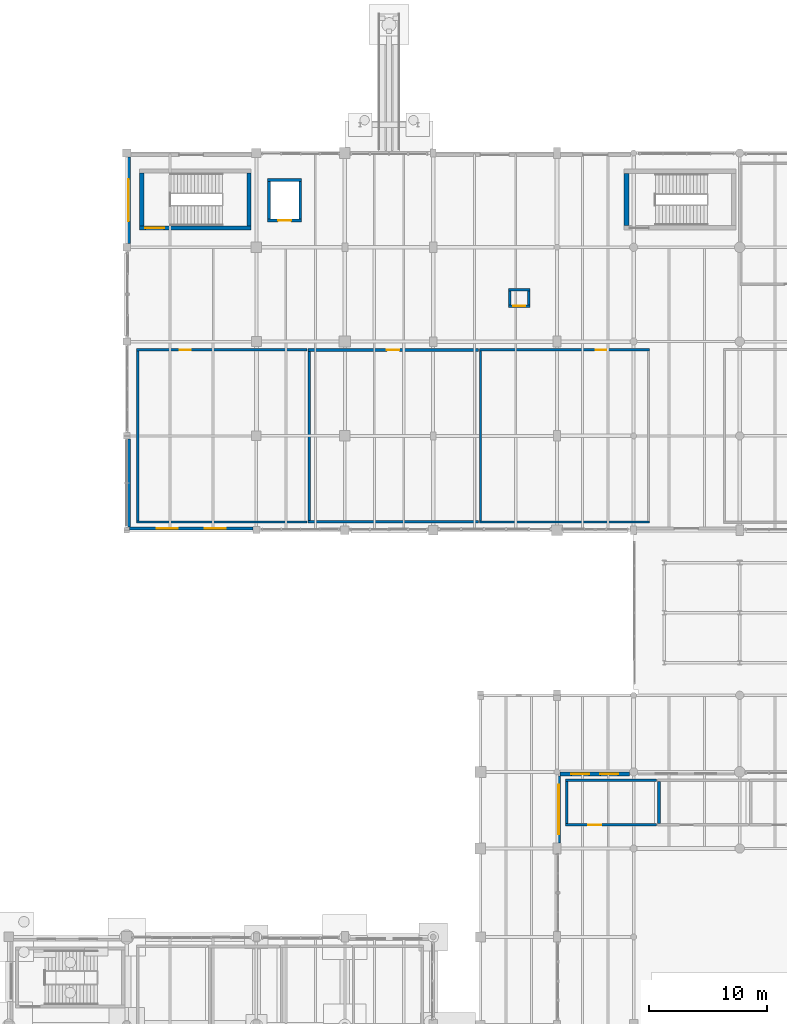
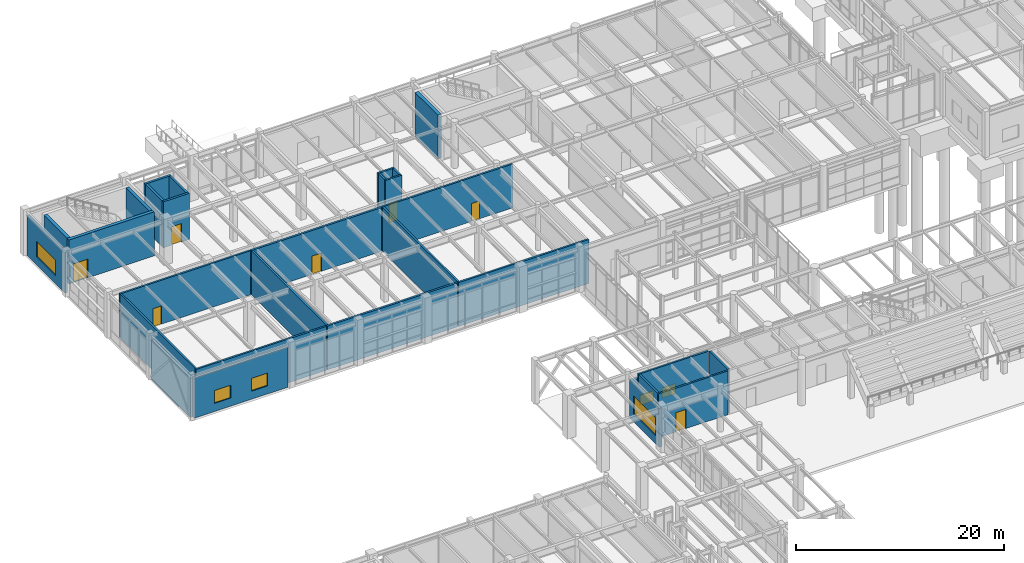
# One storey, part 175 of 203: 30 walls, 7 doors, 6 windows, 13 openings.
"""IFC4 building model written with IfcOpenShell, lengths in metres."""

from ifc_helpers import new_model, si_unit, direction, frame, frame_2d, origin, place, context, subcontext, project, spatial, rectangle, extrude, material, layer, layer_set, type_object, element, fill, save


model = new_model("IFC4")

# Units and contexts
model_context = context("Model", 3, precision=1e-05, world=origin(), true_north=direction((0.0, 1.0)))
body_context = subcontext(model_context, "Body", "Model", "MODEL_VIEW")
ifc_project = project(units=[si_unit("LENGTHUNIT", "METRE"), si_unit("AREAUNIT", "SQUARE_METRE"), si_unit("VOLUMEUNIT", "CUBIC_METRE"), si_unit("PLANEANGLEUNIT", "RADIAN"), si_unit("MASSUNIT", "GRAM", prefix="KILO"), si_unit("THERMODYNAMICTEMPERATUREUNIT", "KELVIN"), si_unit("POWERUNIT", "WATT")], contexts=[model_context])

# Site, building, storey
site_placement = place(None, origin())
site = spatial("IfcSite", under=ifc_project, at=site_placement, CompositionType="ELEMENT")
building_placement = place(site_placement, origin())
building = spatial("IfcBuilding", under=site, at=building_placement, Name="Tepalcoro Natatorium and Aquatics Centre", CompositionType="ELEMENT")
storey_placement = place(building_placement, origin())
storey = spatial("IfcBuildingStorey", under=building, at=storey_placement, Name="L00", CompositionType="ELEMENT", Elevation=0.0)

# Wall, opening, window
ifc_material_1 = material(Name="Precast Concrete C45/55 (fc 45 MPa)", Category="concrete")
ifc_layer_1 = layer(ifc_material_1, 0.284912109375)
ifc_layer_set_1 = layer_set([ifc_layer_1], Name="Precast Concrete C45/55 (fc 45 MPa)")
wall_type_1 = type_object("IfcWallType", Name="WL_EXT_INSUL_280", PredefinedType="SOLIDWALL", material=ifc_layer_set_1)
wall_1_placement = place(storey_placement, frame((46.642578125, 59.47900390625, 0.0), z_axis=(0.0, 0.0, 1.0), x_axis=(0.0, 1.0, 0.0)))
wall_1 = element("IfcWall", 1, at=wall_1_placement, inside=storey, type_object=wall_type_1, Name="V1 L00 W Volcanic Basalt Envelope Wall", PredefinedType="SOLIDWALL", context=body_context, shape_type="SweptSolid", body=[
    extrude(rectangle(XDim=5.656982421875, YDim=0.284912109375, at=frame_2d((2.82861328125, 0.0))), origin(), (0.0, 0.0, 1.0), 4.52587890625),
])
opening_1_placement = place(wall_1_placement, frame((0.728515625, 0.0, 0.949951171875)))
opening_1 = element("IfcOpeningElement", 2, at=opening_1_placement, cuts=wall_1, Name="Opening W0009", PredefinedType="OPENING", context=body_context, shape_type="SweptSolid", body=[
    extrude(rectangle(XDim=4.199951171875, YDim=2.10009765625, at=frame_2d((2.10009765625, 1.050048828125))), frame((0.0, 0.154296875, 0.0), z_axis=(0.0, -1.0, 0.0), x_axis=(1.0, 0.0, 0.0)), (0.0, 0.0, 1.0), 0.308837890625),
])
ifc_material_2 = material(Name="Solar-Control Bronze Tempered Low-E Double Glazing", Category="glass")
window_type_1 = type_object("IfcWindowType", Name="WN_420x210", PartitioningType="SINGLE_PANEL", PredefinedType="WINDOW", material=ifc_material_2)
window_1_placement = place(opening_1_placement, origin())
window_1 = element("IfcWindow", 3, at=window_1_placement, inside=storey, type_object=window_type_1, Name="Exterior Thermal Window WN_420x210", OverallHeight=2.10009765625, OverallWidth=4.199951171875, PartitioningType="SINGLE_PANEL", PredefinedType="WINDOW", context=body_context, shape_type="SweptSolid", body=[
    extrude(rectangle(XDim=4.199951171875, YDim=2.10009765625, at=frame_2d((2.10009765625, 1.050048828125))), frame((0.0, 0.030029296875, 0.0), z_axis=(0.0, -1.0, 0.0), x_axis=(1.0, 0.0, 0.0)), (0.0, 0.0, 1.0), 0.06005859375),
])
fill(opening_1, window_1)

# Wall, openings, windows
wall_2_placement = place(storey_placement, frame((10.25390625, 86.142578125, 0.0), z_axis=(0.0, 0.0, 1.0), x_axis=(1.0, 0.0, 0.0)))
wall_2 = element("IfcWall", 4, at=wall_2_placement, inside=storey, type_object=wall_type_1, Name="V4 L00 S Volcanic Basalt Envelope Wall", PredefinedType="SOLIDWALL", context=body_context, shape_type="SweptSolid", body=[
    extrude(rectangle(XDim=10.442138671875, YDim=0.284912109375, at=frame_2d((5.22119140625, 0.0))), origin(), (0.0, 0.0, 1.0), 4.669921875),
])
opening_2_placement = place(wall_2_placement, frame((2.28076171875, 0.0, 0.949951171875)))
opening_2 = element("IfcOpeningElement", 5, at=opening_2_placement, cuts=wall_2, Name="Opening W0069A", PredefinedType="OPENING", context=body_context, shape_type="SweptSolid", body=[
    extrude(rectangle(XDim=1.800048828125, YDim=1.5, at=frame_2d((0.89990234375, 0.75))), frame((0.0, 0.154296875, 0.0), z_axis=(0.0, -1.0, 0.0), x_axis=(1.0, 0.0, 0.0)), (0.0, 0.0, 1.0), 0.308837890625),
])
opening_3_placement = place(wall_2_placement, frame((6.361328125, 0.0, 0.949951171875)))
opening_3 = element("IfcOpeningElement", 6, at=opening_3_placement, cuts=wall_2, Name="Opening W0069B", PredefinedType="OPENING", context=body_context, shape_type="SweptSolid", body=[
    extrude(rectangle(XDim=1.800048828125, YDim=1.5, at=frame_2d((0.89990234375, 0.75))), frame((0.0, 0.154296875, 0.0), z_axis=(0.0, -1.0, 0.0), x_axis=(1.0, 0.0, 0.0)), (0.0, 0.0, 1.0), 0.308837890625),
])
window_type_2 = type_object("IfcWindowType", Name="WN_180x150", PartitioningType="SINGLE_PANEL", PredefinedType="WINDOW", material=ifc_material_2)
window_2_placement = place(opening_2_placement, origin())
window_2 = element("IfcWindow", 7, at=window_2_placement, inside=storey, type_object=window_type_2, Name="Exterior Thermal Window WN_180x150", OverallHeight=1.5, OverallWidth=1.800048828125, PartitioningType="SINGLE_PANEL", PredefinedType="WINDOW", context=body_context, shape_type="SweptSolid", body=[
    extrude(rectangle(XDim=1.800048828125, YDim=1.5, at=frame_2d((0.89990234375, 0.75))), frame((0.0, 0.030029296875, 0.0), z_axis=(0.0, -1.0, 0.0), x_axis=(1.0, 0.0, 0.0)), (0.0, 0.0, 1.0), 0.06005859375),
])
fill(opening_2, window_2)
window_3_placement = place(opening_3_placement, origin())
window_3 = element("IfcWindow", 8, at=window_3_placement, inside=storey, type_object=window_type_2, Name="Exterior Thermal Window WN_180x150", OverallHeight=1.5, OverallWidth=1.800048828125, PartitioningType="SINGLE_PANEL", PredefinedType="WINDOW", context=body_context, shape_type="SweptSolid", body=[
    extrude(rectangle(XDim=1.800048828125, YDim=1.5, at=frame_2d((0.89990234375, 0.75))), frame((0.0, 0.030029296875, 0.0), z_axis=(0.0, -1.0, 0.0), x_axis=(1.0, 0.0, 0.0)), (0.0, 0.0, 1.0), 0.06005859375),
])
fill(opening_3, window_3)

# Wall
ifc_material_3 = material(Name="Jalisco Cantera Rosa Volcanic Tuff Ashlar Masonry", Category="masonry")
ifc_layer_2 = layer(ifc_material_3, 0.320068359375)
ifc_layer_set_2 = layer_set([ifc_layer_2], Name="Jalisco Cantera Rosa Volcanic Tuff Ashlar Masonry")
wall_type_2 = type_object("IfcWallType", Name="WL_EXT_STONE_320", PredefinedType="SOLIDWALL", material=ifc_layer_set_2)
wall_3_placement = place(storey_placement, frame((10.159912109375, 86.2890625, 0.0), z_axis=(0.0, 0.0, 1.0), x_axis=(0.0, 1.0, 0.0)))
element("IfcWall", 9, at=wall_3_placement, inside=storey, type_object=wall_type_2, Name="V4 L00 W Volcanic Basalt Envelope Wall", PredefinedType="SOLIDWALL", context=body_context, shape_type="SweptSolid", body=[
    extrude(rectangle(XDim=7.431884765625, YDim=0.320068359375, at=frame_2d((3.7158203125, 0.0))), origin(), (0.0, 0.0, 1.0), 4.593994140625),
])

# Wall, openings, windows
ifc_material_4 = material(Name="Volcanic Recinto Basalt Ashlar Masonry", Category="masonry")
ifc_layer_3 = layer(ifc_material_4, 0.360107421875)
ifc_layer_set_3 = layer_set([ifc_layer_3], Name="Volcanic Recinto Basalt Ashlar Masonry")
wall_type_3 = type_object("IfcWallType", Name="WL_EXT_STONE_350", PredefinedType="SOLIDWALL", material=ifc_layer_set_3)
wall_4_placement = place(storey_placement, frame((46.75390625, 65.320068359375, 0.0), z_axis=(0.0, 0.0, 1.0), x_axis=(1.0, 0.0, 0.0)))
wall_4 = element("IfcWall", 10, at=wall_4_placement, inside=storey, type_object=wall_type_3, Name="V1 L00 N Volcanic Basalt Envelope Wall", PredefinedType="SOLIDWALL", context=body_context, shape_type="SweptSolid", body=[
    extrude(rectangle(XDim=5.89208984375, YDim=0.360107421875, at=frame_2d((2.946044921875, 0.0))), origin(), (0.0, 0.0, 1.0), 4.2109375),
])
opening_4_placement = place(wall_4_placement, frame((0.964111328125, 0.0, 0.949951171875)))
opening_4 = element("IfcOpeningElement", 11, at=opening_4_placement, cuts=wall_4, Name="Opening W0004A", PredefinedType="OPENING", context=body_context, shape_type="SweptSolid", body=[
    extrude(rectangle(XDim=1.5, YDim=1.199951171875, at=frame_2d((0.75, 0.60009765625))), frame((0.0, 0.19189453125, 0.0), z_axis=(0.0, -1.0, 0.0), x_axis=(1.0, 0.0, 0.0)), (0.0, 0.0, 1.0), 0.384033203125),
])
opening_5_placement = place(wall_4_placement, frame((3.427978515625, 0.0, 0.949951171875)))
opening_5 = element("IfcOpeningElement", 12, at=opening_5_placement, cuts=wall_4, Name="Opening W0004B", PredefinedType="OPENING", context=body_context, shape_type="SweptSolid", body=[
    extrude(rectangle(XDim=1.5, YDim=1.199951171875, at=frame_2d((0.75, 0.60009765625))), frame((0.0, 0.19189453125, 0.0), z_axis=(0.0, -1.0, 0.0), x_axis=(1.0, 0.0, 0.0)), (0.0, 0.0, 1.0), 0.384033203125),
])
window_type_3 = type_object("IfcWindowType", Name="WN_150x120", PartitioningType="SINGLE_PANEL", PredefinedType="WINDOW", material=ifc_material_2)
window_4_placement = place(opening_4_placement, origin())
window_4 = element("IfcWindow", 13, at=window_4_placement, inside=storey, type_object=window_type_3, Name="Exterior Thermal Window WN_150x120", OverallHeight=1.199951171875, OverallWidth=1.5, PartitioningType="SINGLE_PANEL", PredefinedType="WINDOW", context=body_context, shape_type="SweptSolid", body=[
    extrude(rectangle(XDim=1.5, YDim=1.199951171875, at=frame_2d((0.75, 0.60009765625))), frame((0.0, 0.030029296875, 0.0), z_axis=(0.0, -1.0, 0.0), x_axis=(1.0, 0.0, 0.0)), (0.0, 0.0, 1.0), 0.06005859375),
])
fill(opening_4, window_4)
window_5_placement = place(opening_5_placement, origin())
window_5 = element("IfcWindow", 14, at=window_5_placement, inside=storey, type_object=window_type_3, Name="Exterior Thermal Window WN_150x120", OverallHeight=1.199951171875, OverallWidth=1.5, PartitioningType="SINGLE_PANEL", PredefinedType="WINDOW", context=body_context, shape_type="SweptSolid", body=[
    extrude(rectangle(XDim=1.5, YDim=1.199951171875, at=frame_2d((0.75, 0.60009765625))), frame((0.0, 0.030029296875, 0.0), z_axis=(0.0, -1.0, 0.0), x_axis=(1.0, 0.0, 0.0)), (0.0, 0.0, 1.0), 0.06005859375),
])
fill(opening_5, window_5)

# Wall, opening, window
ifc_layer_4 = layer(ifc_material_3, 0.304931640625)
ifc_layer_set_4 = layer_set([ifc_layer_4], Name="Jalisco Cantera Rosa Volcanic Tuff Ashlar Masonry")
wall_type_4 = type_object("IfcWallType", Name="WL_EXT_TERRACOTTA_300", PredefinedType="SOLIDWALL", material=ifc_layer_set_4)
wall_5_placement = place(storey_placement, frame((10.152587890625, 110.3291015625, 0.0), z_axis=(0.0, 0.0, 1.0), x_axis=(0.0, 1.0, 0.0)))
wall_5 = element("IfcWall", 15, at=wall_5_placement, inside=storey, type_object=wall_type_4, Name="V4 L00 W Volcanic Basalt Envelope Wall", PredefinedType="SOLIDWALL", context=body_context, shape_type="SweptSolid", body=[
    extrude(rectangle(XDim=7.31689453125, YDim=0.304931640625, at=frame_2d((3.658447265625, 0.0))), origin(), (0.0, 0.0, 1.0), 4.669921875),
])
opening_6_placement = place(wall_5_placement, frame((1.8583984375, 0.0, 0.949951171875)))
opening_6 = element("IfcOpeningElement", 16, at=opening_6_placement, cuts=wall_5, Name="Opening W0070", PredefinedType="OPENING", context=body_context, shape_type="SweptSolid", body=[
    extrude(rectangle(XDim=3.60009765625, YDim=1.800048828125, at=frame_2d((1.800048828125, 0.89990234375))), frame((0.0, 0.16455078125, 0.0), z_axis=(0.0, -1.0, 0.0), x_axis=(1.0, 0.0, 0.0)), (0.0, 0.0, 1.0), 0.328857421875),
])
window_type_4 = type_object("IfcWindowType", Name="WN_360x180", PartitioningType="SINGLE_PANEL", PredefinedType="WINDOW", material=ifc_material_2)
window_6_placement = place(opening_6_placement, origin())
window_6 = element("IfcWindow", 17, at=window_6_placement, inside=storey, type_object=window_type_4, Name="Exterior Thermal Window WN_360x180", OverallHeight=1.800048828125, OverallWidth=3.60009765625, PartitioningType="SINGLE_PANEL", PredefinedType="WINDOW", context=body_context, shape_type="SweptSolid", body=[
    extrude(rectangle(XDim=3.60009765625, YDim=1.800048828125, at=frame_2d((1.800048828125, 0.89990234375))), frame((0.0, 0.030029296875, 0.0), z_axis=(0.0, -1.0, 0.0), x_axis=(1.0, 0.0, 0.0)), (0.0, 0.0, 1.0), 0.06005859375),
])
fill(opening_6, window_6)

# Wall, opening, door
ifc_material_5 = material(Name="Ceramic-Tiled Moisture-Resistant Masonry Blockwork", Category="masonry")
ifc_layer_5 = layer(ifc_material_5, 0.199951171875)
ifc_layer_set_5 = layer_set([ifc_layer_5], Name="Ceramic-Tiled Moisture-Resistant Masonry Blockwork")
wall_type_5 = type_object("IfcWallType", Name="WL_PLUMB_200", PredefinedType="PLUMBINGWALL", material=ifc_layer_set_5)
wall_6_placement = place(storey_placement, frame((47.239990234375, 61.0, 0.0), z_axis=(0.0, 0.0, 1.0), x_axis=(1.0, 0.0, 0.0)))
wall_6 = element("IfcWall", 18, at=wall_6_placement, inside=storey, type_object=wall_type_5, Name="Team Wet Changing Village West & Lockers Partition S", PredefinedType="PLUMBINGWALL", context=body_context, shape_type="SweptSolid", body=[
    extrude(rectangle(XDim=7.719970703125, YDim=0.199951171875, at=frame_2d((3.85986328125, 0.0))), origin(), (0.0, 0.0, 1.0), 5.125),
])
opening_7_placement = place(wall_6_placement, frame((1.929931640625, 0.0, 0.0)))
opening_7 = element("IfcOpeningElement", 19, at=opening_7_placement, cuts=wall_6, Name="Opening D0079", PredefinedType="OPENING", context=body_context, shape_type="SweptSolid", body=[
    extrude(rectangle(XDim=1.10009765625, YDim=2.25, at=frame_2d((0.550048828125, 1.125))), frame((0.0, 0.11181640625, 0.0), z_axis=(0.0, -1.0, 0.0), x_axis=(1.0, 0.0, 0.0)), (0.0, 0.0, 1.0), 0.223876953125),
])
ifc_material_6 = material(Name="Solid-Core Moisture-Sealed Oak Timber Leaf in Aluminium Frame", Category="wood")
door_type_1 = type_object("IfcDoorType", Name="DR_110x225", OperationType="NOTDEFINED", PredefinedType="DOOR", material=ifc_material_6)
door_1_placement = place(opening_7_placement, origin())
door_1 = element("IfcDoor", 20, at=door_1_placement, inside=storey, type_object=door_type_1, Name="Team Wet Changing Village West & Lockers Door", OperationType="SINGLE_SWING_LEFT", OverallHeight=2.25, OverallWidth=1.10009765625, PredefinedType="DOOR", context=body_context, shape_type="SweptSolid", body=[
    extrude(rectangle(XDim=1.10009765625, YDim=2.25, at=frame_2d((0.550048828125, 1.125))), frame((0.0, 0.02490234375, 0.0), z_axis=(0.0, -1.0, 0.0), x_axis=(1.0, 0.0, 0.0)), (0.0, 0.0, 1.0), 0.050048828125),
])
fill(opening_7, door_1)

# Walls
wall_7_placement = place(storey_placement, frame((47.239990234375, 64.800048828125, 0.0), z_axis=(0.0, 0.0, 1.0), x_axis=(1.0, 0.0, 0.0)))
element("IfcWall", 21, at=wall_7_placement, inside=storey, type_object=wall_type_5, Name="Team Wet Changing Village West & Lockers Partition N", PredefinedType="PLUMBINGWALL", context=body_context, shape_type="SweptSolid", body=[
    extrude(rectangle(XDim=7.719970703125, YDim=0.199951171875, at=frame_2d((3.85986328125, 0.0))), origin(), (0.0, 0.0, 1.0), 5.125),
])
wall_8_placement = place(storey_placement, frame((47.340087890625, 61.10009765625, 0.0), z_axis=(0.0, 0.0, 1.0), x_axis=(0.0, 1.0, 0.0)))
element("IfcWall", 22, at=wall_8_placement, inside=storey, type_object=wall_type_5, Name="Team Wet Changing Village West & Lockers Partition W", PredefinedType="PLUMBINGWALL", context=body_context, shape_type="SweptSolid", body=[
    extrude(rectangle(XDim=3.599853515625, YDim=0.199951171875, at=frame_2d((1.7998046875, 0.0))), origin(), (0.0, 0.0, 1.0), 5.125),
])
wall_9_placement = place(storey_placement, frame((10.840087890625, 86.699951171875, 0.0), z_axis=(0.0, 0.0, 1.0), x_axis=(1.0, 0.0, 0.0)))
element("IfcWall", 23, at=wall_9_placement, inside=storey, type_object=wall_type_5, Name="Community Male Wet Changing & Showers Partition S", PredefinedType="PLUMBINGWALL", context=body_context, shape_type="SweptSolid", body=[
    extrude(rectangle(XDim=14.452880859375, YDim=0.199951171875, at=frame_2d((7.2265625, 0.0))), origin(), (0.0, 0.0, 1.0), 5.14501953125),
])

# Wall, opening, door
wall_10_placement = place(storey_placement, frame((10.840087890625, 101.300048828125, 0.0), z_axis=(0.0, 0.0, 1.0), x_axis=(1.0, 0.0, 0.0)))
wall_10 = element("IfcWall", 24, at=wall_10_placement, inside=storey, type_object=wall_type_5, Name="Community Male Wet Changing & Showers Partition N", PredefinedType="PLUMBINGWALL", context=body_context, shape_type="SweptSolid", body=[
    extrude(rectangle(XDim=14.452880859375, YDim=0.199951171875, at=frame_2d((7.2265625, 0.0))), origin(), (0.0, 0.0, 1.0), 5.14501953125),
])
opening_8_placement = place(wall_10_placement, frame((3.65087890625, 0.0, 0.0)))
opening_8 = element("IfcOpeningElement", 25, at=opening_8_placement, cuts=wall_10, Name="Opening D0097", PredefinedType="OPENING", context=body_context, shape_type="SweptSolid", body=[
    extrude(rectangle(XDim=0.949951171875, YDim=2.14990234375, at=frame_2d((0.47509765625, 1.074951171875))), frame((0.0, 0.11181640625, 0.0), z_axis=(0.0, -1.0, 0.0), x_axis=(1.0, 0.0, 0.0)), (0.0, 0.0, 1.0), 0.223876953125),
])
door_type_2 = type_object("IfcDoorType", Name="DR_095x215_OFFICE", OperationType="NOTDEFINED", PredefinedType="DOOR", material=ifc_material_6)
door_2_placement = place(opening_8_placement, frame((0.949951171875, 0.0, 0.0), z_axis=(0.0, 0.0, 1.0), x_axis=(-1.0, 0.0, 0.0)))
door_2 = element("IfcDoor", 26, at=door_2_placement, inside=storey, type_object=door_type_2, Name="Community Male Wet Changing & Showers Door", OperationType="SINGLE_SWING_LEFT", OverallHeight=2.14990234375, OverallWidth=0.949951171875, PredefinedType="DOOR", context=body_context, shape_type="SweptSolid", body=[
    extrude(rectangle(XDim=0.949951171875, YDim=2.14990234375, at=frame_2d((0.47509765625, 1.074951171875))), frame((0.0, 0.02490234375, 0.0), z_axis=(0.0, -1.0, 0.0), x_axis=(1.0, 0.0, 0.0)), (0.0, 0.0, 1.0), 0.050048828125),
])
fill(opening_8, door_2)

# Walls
wall_11_placement = place(storey_placement, frame((10.93994140625, 86.800048828125, 0.0), z_axis=(0.0, 0.0, 1.0), x_axis=(0.0, 1.0, 0.0)))
element("IfcWall", 27, at=wall_11_placement, inside=storey, type_object=wall_type_5, Name="Community Male Wet Changing & Showers Partition W", PredefinedType="PLUMBINGWALL", context=body_context, shape_type="SweptSolid", body=[
    extrude(rectangle(XDim=14.39990234375, YDim=0.199951171875, at=frame_2d((7.199951171875, 0.0))), origin(), (0.0, 0.0, 1.0), 5.14501953125),
])
wall_12_placement = place(storey_placement, frame((39.906982421875, 86.699951171875, 0.0), z_axis=(0.0, 0.0, 1.0), x_axis=(1.0, 0.0, 0.0)))
element("IfcWall", 28, at=wall_12_placement, inside=storey, type_object=wall_type_5, Name="Accessible Changing Places Suite & Hoist WC Partition S", PredefinedType="PLUMBINGWALL", context=body_context, shape_type="SweptSolid", body=[
    extrude(rectangle(XDim=14.453125, YDim=0.199951171875, at=frame_2d((7.2265625, 0.0))), origin(), (0.0, 0.0, 1.0), 5.14501953125),
])

# Wall, opening, door
wall_13_placement = place(storey_placement, frame((39.906982421875, 101.300048828125, 0.0), z_axis=(0.0, 0.0, 1.0), x_axis=(1.0, 0.0, 0.0)))
wall_13 = element("IfcWall", 29, at=wall_13_placement, inside=storey, type_object=wall_type_5, Name="Accessible Changing Places Suite & Hoist WC Partition N", PredefinedType="PLUMBINGWALL", context=body_context, shape_type="SweptSolid", body=[
    extrude(rectangle(XDim=14.453125, YDim=0.199951171875, at=frame_2d((7.2265625, 0.0))), origin(), (0.0, 0.0, 1.0), 5.14501953125),
])
opening_9_placement = place(wall_13_placement, frame((9.889892578125, 0.0, 0.0)))
opening_9 = element("IfcOpeningElement", 30, at=opening_9_placement, cuts=wall_13, Name="Opening D0099", PredefinedType="OPENING", context=body_context, shape_type="SweptSolid", body=[
    extrude(rectangle(XDim=0.89990234375, YDim=2.10009765625, at=frame_2d((0.449951171875, 1.050048828125))), frame((0.0, 0.11181640625, 0.0), z_axis=(0.0, -1.0, 0.0), x_axis=(1.0, 0.0, 0.0)), (0.0, 0.0, 1.0), 0.223876953125),
])
door_type_3 = type_object("IfcDoorType", Name="DR_095x215_WC", OperationType="NOTDEFINED", PredefinedType="DOOR", material=ifc_material_6)
door_3_placement = place(opening_9_placement, frame((0.89990234375, 0.0, 0.0), z_axis=(0.0, 0.0, 1.0), x_axis=(-1.0, 0.0, 0.0)))
door_3 = element("IfcDoor", 31, at=door_3_placement, inside=storey, type_object=door_type_3, Name="Accessible Changing Places Suite & Hoist WC Door", OperationType="SINGLE_SWING_LEFT", OverallHeight=2.10009765625, OverallWidth=0.89990234375, PredefinedType="DOOR", context=body_context, shape_type="SweptSolid", body=[
    extrude(rectangle(XDim=0.89990234375, YDim=2.10009765625, at=frame_2d((0.449951171875, 1.050048828125))), frame((0.0, 0.02490234375, 0.0), z_axis=(0.0, -1.0, 0.0), x_axis=(1.0, 0.0, 0.0)), (0.0, 0.0, 1.0), 0.050048828125),
])
fill(opening_9, door_3)

# Walls
wall_14_placement = place(storey_placement, frame((40.007080078125, 86.800048828125, 0.0), z_axis=(0.0, 0.0, 1.0), x_axis=(0.0, 1.0, 0.0)))
element("IfcWall", 32, at=wall_14_placement, inside=storey, type_object=wall_type_5, Name="Accessible Changing Places Suite & Hoist WC Partition W", PredefinedType="PLUMBINGWALL", context=body_context, shape_type="SweptSolid", body=[
    extrude(rectangle(XDim=14.39990234375, YDim=0.199951171875, at=frame_2d((7.199951171875, 0.0))), origin(), (0.0, 0.0, 1.0), 5.14501953125),
])
ifc_layer_6 = layer(ifc_material_5, 0.219970703125)
ifc_layer_set_6 = layer_set([ifc_layer_6], Name="Ceramic-Tiled Moisture-Resistant Masonry Blockwork")
wall_type_6 = type_object("IfcWallType", Name="WL_PLUMB_220", PredefinedType="PLUMBINGWALL", material=ifc_layer_set_6)
wall_15_placement = place(storey_placement, frame((55.14990234375, 61.1201171875, 0.0), z_axis=(0.0, 0.0, 1.0), x_axis=(0.0, 1.0, 0.0)))
element("IfcWall", 33, at=wall_15_placement, inside=storey, type_object=wall_type_6, Name="Pre-Swim Cleansing Showers & Footbath West Partition W", PredefinedType="PLUMBINGWALL", context=body_context, shape_type="SweptSolid", body=[
    extrude(rectangle(XDim=3.559814453125, YDim=0.219970703125, at=frame_2d((1.77978515625, 0.0))), origin(), (0.0, 0.0, 1.0), 5.125),
])
wall_16_placement = place(storey_placement, frame((25.373046875, 86.7099609375, 0.0), z_axis=(0.0, 0.0, 1.0), x_axis=(1.0, 0.0, 0.0)))
element("IfcWall", 34, at=wall_16_placement, inside=storey, type_object=wall_type_6, Name="Community Female Wet Changing & Showers Partition S", PredefinedType="PLUMBINGWALL", context=body_context, shape_type="SweptSolid", body=[
    extrude(rectangle(XDim=14.453857421875, YDim=0.219970703125, at=frame_2d((7.22705078125, 0.0))), origin(), (0.0, 0.0, 1.0), 5.14501953125),
])

# Wall, opening, door
wall_17_placement = place(storey_placement, frame((25.373046875, 101.2900390625, 0.0), z_axis=(0.0, 0.0, 1.0), x_axis=(1.0, 0.0, 0.0)))
wall_17 = element("IfcWall", 35, at=wall_17_placement, inside=storey, type_object=wall_type_6, Name="Community Female Wet Changing & Showers Partition N", PredefinedType="PLUMBINGWALL", context=body_context, shape_type="SweptSolid", body=[
    extrude(rectangle(XDim=14.453857421875, YDim=0.219970703125, at=frame_2d((7.22705078125, 0.0))), origin(), (0.0, 0.0, 1.0), 5.14501953125),
])
opening_10_placement = place(wall_17_placement, frame((6.701904296875, 0.0, 0.0)))
opening_10 = element("IfcOpeningElement", 36, at=opening_10_placement, cuts=wall_17, Name="Opening D0098", PredefinedType="OPENING", context=body_context, shape_type="SweptSolid", body=[
    extrude(rectangle(XDim=1.050048828125, YDim=2.14990234375, at=frame_2d((0.52490234375, 1.074951171875))), frame((0.0, 0.1220703125, 0.0), z_axis=(0.0, -1.0, 0.0), x_axis=(1.0, 0.0, 0.0)), (0.0, 0.0, 1.0), 0.243896484375),
])
door_type_4 = type_object("IfcDoorType", Name="DR_105x215_ACC", OperationType="NOTDEFINED", PredefinedType="DOOR", material=ifc_material_6)
door_4_placement = place(opening_10_placement, frame((1.050048828125, 0.0, 0.0), z_axis=(0.0, 0.0, 1.0), x_axis=(-1.0, 0.0, 0.0)))
door_4 = element("IfcDoor", 37, at=door_4_placement, inside=storey, type_object=door_type_4, Name="Community Female Wet Changing & Showers Door", OperationType="SINGLE_SWING_RIGHT", OverallHeight=2.14990234375, OverallWidth=1.050048828125, PredefinedType="DOOR", context=body_context, shape_type="SweptSolid", body=[
    extrude(rectangle(XDim=1.050048828125, YDim=2.14990234375, at=frame_2d((0.52490234375, 1.074951171875))), frame((0.0, 0.02490234375, 0.0), z_axis=(0.0, -1.0, 0.0), x_axis=(1.0, 0.0, 0.0)), (0.0, 0.0, 1.0), 0.050048828125),
])
fill(opening_10, door_4)

# Wall
wall_18_placement = place(storey_placement, frame((25.48291015625, 86.820068359375, 0.0), z_axis=(0.0, 0.0, 1.0), x_axis=(0.0, 1.0, 0.0)))
element("IfcWall", 38, at=wall_18_placement, inside=storey, type_object=wall_type_6, Name="Community Female Wet Changing & Showers Partition W", PredefinedType="PLUMBINGWALL", context=body_context, shape_type="SweptSolid", body=[
    extrude(rectangle(XDim=14.35986328125, YDim=0.219970703125, at=frame_2d((7.179931640625, 0.0))), origin(), (0.0, 0.0, 1.0), 5.14501953125),
])

# Wall, opening, door
ifc_material_7 = material(Name="Concrete C40/50 (fc 40 MPa)", Category="concrete")
ifc_layer_7 = layer(ifc_material_7, 0.239990234375)
ifc_layer_set_7 = layer_set([ifc_layer_7], Name="Concrete C40/50 (fc 40 MPa)")
wall_type_7 = type_object("IfcWallType", Name="WL_SHAFT_240", PredefinedType="SOLIDWALL", material=ifc_layer_set_7)
wall_19_placement = place(storey_placement, frame((21.9599609375, 112.280029296875, 0.0), z_axis=(0.0, 0.0, 1.0), x_axis=(1.0, 0.0, 0.0)))
wall_19 = element("IfcWall", 39, at=wall_19_placement, inside=storey, type_object=wall_type_7, Name="LF04 Lift Shaft Wall S L00", PredefinedType="SOLIDWALL", context=body_context, shape_type="SweptSolid", body=[
    extrude(rectangle(XDim=2.880126953125, YDim=0.239990234375, at=frame_2d((1.43994140625, 0.0))), origin(), (0.0, 0.0, 1.0), 5.39990234375),
])
opening_11_placement = place(wall_19_placement, frame((0.889892578125, 0.0, 0.0)))
opening_11 = element("IfcOpeningElement", 40, at=opening_11_placement, cuts=wall_19, Name="Opening LD-LF04-L00", PredefinedType="OPENING", context=body_context, shape_type="SweptSolid", body=[
    extrude(rectangle(XDim=1.10009765625, YDim=2.14990234375, at=frame_2d((0.550048828125, 1.074951171875))), frame((0.0, 0.1318359375, 0.0), z_axis=(0.0, -1.0, 0.0), x_axis=(1.0, 0.0, 0.0)), (0.0, 0.0, 1.0), 0.263916015625),
])
ifc_material_8 = material(Name="Marine-Grade Brushed Stainless Steel AISI 316L", Category="steel")
door_type_5 = type_object("IfcDoorType", Name="DR_110x215_LIFT", OperationType="NOTDEFINED", PredefinedType="USERDEFINED", material=ifc_material_8)
door_5_placement = place(opening_11_placement, origin())
door_5 = element("IfcDoor", 41, at=door_5_placement, inside=storey, type_object=door_type_5, Name="LF04 Lift Landing Sliding Door (L00)", ObjectType="SLIDING LANDING DOOR", OperationType="SLIDING_TO_RIGHT", OverallHeight=2.14990234375, OverallWidth=1.10009765625, PredefinedType="USERDEFINED", context=body_context, shape_type="SweptSolid", body=[
    extrude(rectangle(XDim=1.10009765625, YDim=2.14990234375, at=frame_2d((0.550048828125, 1.074951171875))), frame((0.0, 0.02490234375, 0.0), z_axis=(0.0, -1.0, 0.0), x_axis=(1.0, 0.0, 0.0)), (0.0, 0.0, 1.0), 0.050048828125),
])
fill(opening_11, door_5)

# Walls
wall_20_placement = place(storey_placement, frame((21.9599609375, 115.719970703125, 0.0), z_axis=(0.0, 0.0, 1.0), x_axis=(1.0, 0.0, 0.0)))
element("IfcWall", 42, at=wall_20_placement, inside=storey, type_object=wall_type_7, Name="LF04 Lift Shaft Wall N L00", PredefinedType="SOLIDWALL", context=body_context, shape_type="SweptSolid", body=[
    extrude(rectangle(XDim=2.880126953125, YDim=0.239990234375, at=frame_2d((1.43994140625, 0.0))), origin(), (0.0, 0.0, 1.0), 5.39990234375),
])
for number, where, z_axis, x_axis, name in (
    (43, (22.080078125, 112.39990234375, 0.0), (0.0, 0.0, 1.0), (0.0, 1.0, 0.0), "LF04 Lift Shaft Wall W L00"),
    (44, (24.719970703125, 112.39990234375, 0.0), (0.0, 0.0, 1.0), (0.0, 1.0, 0.0), "LF04 Lift Shaft Wall E L00"),
):
    element("IfcWall", number, at=place(storey_placement, frame(where, z_axis=z_axis, x_axis=x_axis)), inside=storey, type_object=wall_type_7, Name=name, PredefinedType="SOLIDWALL", context=body_context, shape_type="SweptSolid", body=[
        extrude(rectangle(XDim=3.2001953125, YDim=0.239990234375, at=frame_2d((1.60009765625, 0.0))), origin(), (0.0, 0.0, 1.0), 5.39990234375),
    ])

# Wall, opening, door
ifc_layer_8 = layer(ifc_material_7, 0.35009765625)
ifc_layer_set_8 = layer_set([ifc_layer_8], Name="Concrete C40/50 (fc 40 MPa)")
wall_type_8 = type_object("IfcWallType", Name="WL_SHEAR_350", PredefinedType="SHEAR", material=ifc_layer_set_8)
wall_21_placement = place(storey_placement, frame((11.10009765625, 111.625, 0.0), z_axis=(0.0, 0.0, 1.0), x_axis=(1.0, 0.0, 0.0)))
wall_21 = element("IfcWall", 45, at=wall_21_placement, inside=storey, type_object=wall_type_8, Name="ST07 Core Shear Wall S L00", PredefinedType="SHEAR", context=body_context, shape_type="SweptSolid", body=[
    extrude(rectangle(XDim=9.449951171875, YDim=0.35009765625, at=frame_2d((4.72509765625, 0.0))), origin(), (0.0, 0.0, 1.0), 5.159912109375),
])
opening_12_placement = place(wall_21_placement, frame((0.47998046875, 0.0, 0.0)))
opening_12 = element("IfcOpeningElement", 46, at=opening_12_placement, cuts=wall_21, Name="Opening D0026", PredefinedType="OPENING", context=body_context, shape_type="SweptSolid", body=[
    extrude(rectangle(XDim=1.60009765625, YDim=2.199951171875, at=frame_2d((0.800048828125, 1.10009765625))), frame((0.0, 0.18701171875, 0.0), z_axis=(0.0, -1.0, 0.0), x_axis=(1.0, 0.0, 0.0)), (0.0, 0.0, 1.0), 0.3740234375),
])
ifc_material_9 = material(Name="Galvanised Steel Insulated Acoustic Fire Door Assembly", Category="steel")
door_type_6 = type_object("IfcDoorType", Name="DR_160x220_FD90", OperationType="NOTDEFINED", PredefinedType="DOOR", material=ifc_material_9)
door_6_placement = place(opening_12_placement, frame((1.60009765625, 0.0, 0.0), z_axis=(0.0, 0.0, 1.0), x_axis=(-1.0, 0.0, 0.0)))
door_6 = element("IfcDoor", 47, at=door_6_placement, inside=storey, type_object=door_type_6, Name="ST07 Fire Stair Door (L00)", OperationType="DOUBLE_DOOR_SINGLE_SWING", OverallHeight=2.199951171875, OverallWidth=1.60009765625, PredefinedType="DOOR", context=body_context, shape_type="SweptSolid", body=[
    extrude(rectangle(XDim=1.60009765625, YDim=2.199951171875, at=frame_2d((0.800048828125, 1.10009765625))), frame((0.0, 0.02490234375, 0.0), z_axis=(0.0, -1.0, 0.0), x_axis=(1.0, 0.0, 0.0)), (0.0, 0.0, 1.0), 0.050048828125),
])
fill(opening_12, door_6)

# Walls
for number, where, z_axis, x_axis, name in (
    (48, (11.27490234375, 111.800048828125, 0.0), (0.0, 0.0, 1.0), (0.0, 1.0, 0.0), "ST07 Core Shear Wall W L00"),
    (49, (20.375, 111.800048828125, 0.0), (0.0, 0.0, 1.0), (0.0, 1.0, 0.0), "ST07 Core Shear Wall E L00"),
):
    element("IfcWall", number, at=place(storey_placement, frame(where, z_axis=z_axis, x_axis=x_axis)), inside=storey, type_object=wall_type_8, Name=name, PredefinedType="SHEAR", context=body_context, shape_type="SweptSolid", body=[
        extrude(rectangle(XDim=4.5, YDim=0.35009765625, at=frame_2d((2.25, 0.0))), origin(), (0.0, 0.0, 1.0), 5.159912109375),
    ])
ifc_layer_9 = layer(ifc_material_7, 0.39990234375)
ifc_layer_set_9 = layer_set([ifc_layer_9], Name="Concrete C40/50 (fc 40 MPa)")
wall_type_9 = type_object("IfcWallType", Name="WL_SHEAR_400", PredefinedType="SHEAR", material=ifc_layer_set_9)
wall_22_placement = place(storey_placement, frame((52.39990234375, 111.85009765625, 0.0), z_axis=(0.0, 0.0, 1.0), x_axis=(0.0, 1.0, 0.0)))
element("IfcWall", 50, at=wall_22_placement, inside=storey, type_object=wall_type_9, Name="ST08 Core Shear Wall W L00", PredefinedType="SHEAR", context=body_context, shape_type="SweptSolid", body=[
    extrude(rectangle(XDim=4.39990234375, YDim=0.39990234375, at=frame_2d((2.199951171875, 0.0))), origin(), (0.0, 0.0, 1.0), 5.159912109375),
])

# Wall, opening, door
ifc_material_10 = material(Name="Concrete C35/45 (fc 35 MPa)", Category="concrete")
ifc_layer_10 = layer(ifc_material_10, 0.205078125)
ifc_layer_set_10 = layer_set([ifc_layer_10], Name="Concrete C35/45 (fc 35 MPa)")
wall_type_10 = type_object("IfcWallType", Name="WL_SOLID_200_FR120", PredefinedType="SOLIDWALL", material=ifc_layer_set_10)
wall_23_placement = place(storey_placement, frame((42.39990234375, 105.00244140625, 0.0), z_axis=(0.0, 0.0, 1.0), x_axis=(1.0, 0.0, 0.0)))
wall_23 = element("IfcWall", 51, at=wall_23_placement, inside=storey, type_object=wall_type_10, Name="V4 L00 MEP Switchgear & Telecom Closet Partition S", PredefinedType="SOLIDWALL", context=body_context, shape_type="SweptSolid", body=[
    extrude(rectangle(XDim=1.800048828125, YDim=0.205078125, at=frame_2d((0.89990234375, 0.0))), origin(), (0.0, 0.0, 1.0), 5.14501953125),
])
opening_13_placement = place(wall_23_placement, frame((0.39990234375, 0.0, 0.0)))
opening_13 = element("IfcOpeningElement", 52, at=opening_13_placement, cuts=wall_23, Name="Opening D0044", PredefinedType="OPENING", context=body_context, shape_type="SweptSolid", body=[
    extrude(rectangle(XDim=1.0, YDim=2.199951171875, at=frame_2d((0.5, 1.10009765625))), frame((0.0, 0.114501953125, 0.0), z_axis=(0.0, -1.0, 0.0), x_axis=(1.0, 0.0, 0.0)), (0.0, 0.0, 1.0), 0.22900390625),
])
door_type_7 = type_object("IfcDoorType", Name="DR_100x220_FD60", OperationType="NOTDEFINED", PredefinedType="DOOR", material=ifc_material_9)
door_7_placement = place(opening_13_placement, origin())
door_7 = element("IfcDoor", 53, at=door_7_placement, inside=storey, type_object=door_type_7, Name="V4 L00 MEP Switchgear & Telecom Closet Door", OperationType="SINGLE_SWING_RIGHT", OverallHeight=2.199951171875, OverallWidth=1.0, PredefinedType="DOOR", context=body_context, shape_type="SweptSolid", body=[
    extrude(rectangle(XDim=1.0, YDim=2.199951171875, at=frame_2d((0.5, 1.10009765625))), frame((0.0, 0.02490234375, 0.0), z_axis=(0.0, -1.0, 0.0), x_axis=(1.0, 0.0, 0.0)), (0.0, 0.0, 1.0), 0.050048828125),
])
fill(opening_13, door_7)

# Walls
wall_24_placement = place(storey_placement, frame((42.39990234375, 106.3974609375, 0.0), z_axis=(0.0, 0.0, 1.0), x_axis=(1.0, 0.0, 0.0)))
element("IfcWall", 54, at=wall_24_placement, inside=storey, type_object=wall_type_10, Name="V4 L00 MEP Switchgear & Telecom Closet Partition N", PredefinedType="SOLIDWALL", context=body_context, shape_type="SweptSolid", body=[
    extrude(rectangle(XDim=1.800048828125, YDim=0.205078125, at=frame_2d((0.89990234375, 0.0))), origin(), (0.0, 0.0, 1.0), 5.14501953125),
])
for number, where, z_axis, x_axis, name in (
    (55, (44.097412109375, 105.10498046875, 0.0), (0.0, 0.0, 1.0), (0.0, 1.0, 0.0), "V4 L00 MEP Switchgear & Telecom Closet Partition E"),
    (56, (42.50244140625, 105.10498046875, 0.0), (0.0, 0.0, 1.0), (0.0, 1.0, 0.0), "V4 L00 MEP Switchgear & Telecom Closet Partition W"),
):
    element("IfcWall", number, at=place(storey_placement, frame(where, z_axis=z_axis, x_axis=x_axis)), inside=storey, type_object=wall_type_10, Name=name, PredefinedType="SOLIDWALL", context=body_context, shape_type="SweptSolid", body=[
        extrude(rectangle(XDim=1.18994140625, YDim=0.205078125, at=frame_2d((0.594970703125, 0.0))), origin(), (0.0, 0.0, 1.0), 5.14501953125),
    ])

save(model, "model.ifc")
